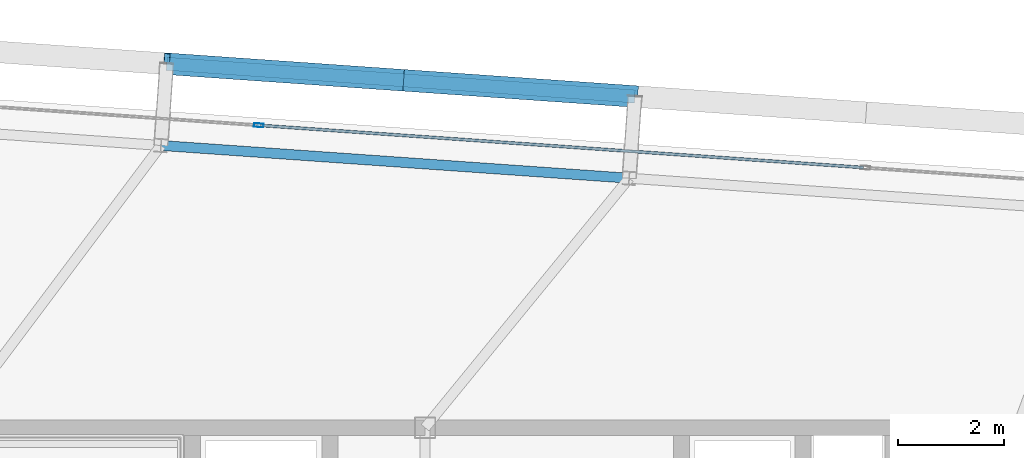
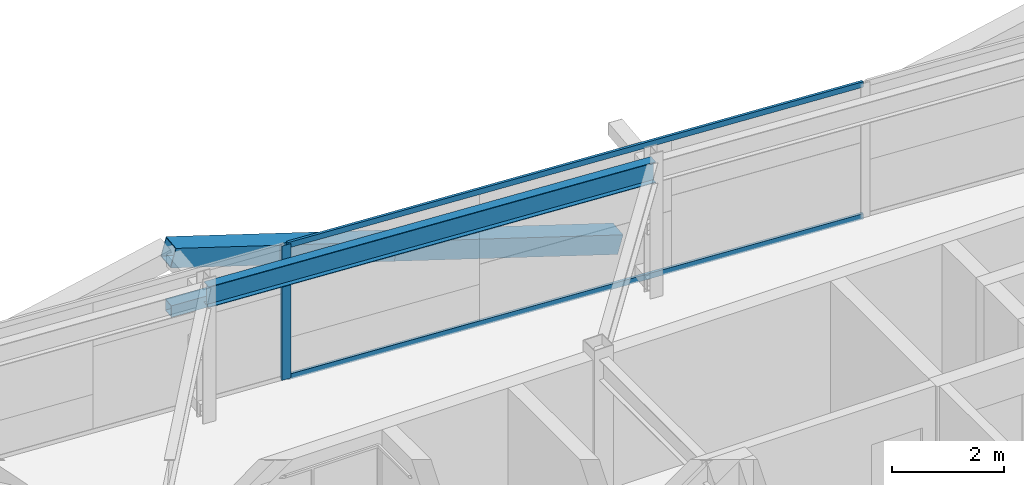
# One storey, part 21 of 39: 6 members, 1 beam, 1 element without a shape of its own.
"""IFC4 building model written with IfcOpenShell, lengths in metres."""

import ifcopenshell
import ifcopenshell.guid

model = None  # the IFC model being written
_history = None  # IfcOwnerHistory: only IFC2X3 demands one
_inside = {}  # id of a spatial element -> (the spatial element, [elements in it])
_under = {}  # id of a project, library or spatial element -> (it, [spatial elements below it])
_declared = {}  # id of a project -> (the project, [libraries it declares])
_typed = {}  # id of a type object -> (the type object, [elements of that type])
_made_of = {}  # id of a material, layer set ... -> (it, [elements and type objects made of it])


def new_model(schema):
    """Start an empty IFC model of exactly this schema.

    Asked for "IFC4X3", IfcOpenShell would pick the latest addendum, in which some entities
    have other attributes; the version numbers below select the first issue.
    IFC2X3 requires an IfcOwnerHistory on every rooted entity: one is made here for all.
    """
    global model, _history
    if schema == "IFC4X3":
        model = ifcopenshell.file(schema_version=(4, 3, 0, 0))
    else:
        model = ifcopenshell.file(schema=schema)
    _inside.clear()
    _under.clear()
    _declared.clear()
    _typed.clear()
    _made_of.clear()
    _history = None
    if model.schema == "IFC2X3":
        org = make("IfcOrganization", Name="unknown")
        user = make(
            "IfcPersonAndOrganization",
            ThePerson=make("IfcPerson", FamilyName="unknown"),
            TheOrganization=org,
        )
        app = make(
            "IfcApplication",
            ApplicationDeveloper=org,
            Version="unknown",
            ApplicationFullName="unknown",
            ApplicationIdentifier="unknown",
        )
        _history = make(
            "IfcOwnerHistory",
            OwningUser=user,
            OwningApplication=app,
            ChangeAction="ADDED",
            CreationDate=0,
        )
    return model


def make(cls, **values):
    """One entity of the class cls with the attributes given. An attribute that is None is left unset."""
    return model.create_entity(
        cls, **{name: value for name, value in values.items() if value is not None}
    )


def rooted(cls, **values):
    """An entity with a GlobalId (a new one), such as an element, a storey or a relation."""
    return make(cls, GlobalId=ifcopenshell.guid.new(), OwnerHistory=_history, **values)


def si_unit(unit_type, name, prefix=None):
    """IfcSIUnit, for example si_unit("LENGTHUNIT", "METRE", prefix="MILLI")."""
    return make("IfcSIUnit", UnitType=unit_type, Prefix=prefix, Name=name)


def assignment(units):
    """IfcUnitAssignment: the units of a project."""
    return None if units is None else make("IfcUnitAssignment", Units=units)


def point(xyz):
    """IfcCartesianPoint."""
    return None if xyz is None else make("IfcCartesianPoint", Coordinates=xyz)


def direction(xyz):
    """IfcDirection."""
    return None if xyz is None else make("IfcDirection", DirectionRatios=xyz)


def frame(location, z_axis=None, x_axis=None):
    """IfcAxis2Placement3D, a coordinate frame: its origin and axes. An axis left out is left unset."""
    return make(
        "IfcAxis2Placement3D",
        Location=point(location),
        Axis=direction(z_axis),
        RefDirection=direction(x_axis),
    )


def frame_2d(location, x_axis=None):
    """IfcAxis2Placement2D, a coordinate frame in the plane: its origin and x axis."""
    return make(
        "IfcAxis2Placement2D", Location=point(location), RefDirection=direction(x_axis)
    )


def origin():
    """The frame at (0, 0, 0) with its axes left unset."""
    return frame((0.0, 0.0, 0.0))


def origin_2d():
    """The frame at (0, 0) in the plane with its x axis left unset."""
    return frame_2d((0.0, 0.0))


def place(relative_to, where):
    """IfcLocalPlacement: puts the frame where relative to a parent placement (None: the world)."""
    return make(
        "IfcLocalPlacement", PlacementRelTo=relative_to, RelativePlacement=where
    )


def context(
    kind, dimensions, precision=None, world=None, true_north=None, identifier=None
):
    """IfcGeometricRepresentationContext, for example the 3D "Model" context."""
    return make(
        "IfcGeometricRepresentationContext",
        ContextIdentifier=identifier,
        ContextType=kind,
        CoordinateSpaceDimension=dimensions,
        Precision=precision,
        WorldCoordinateSystem=world,
        TrueNorth=true_north,
    )


def subcontext(parent, identifier, kind, view, scale=None):
    """IfcGeometricRepresentationSubContext, for example "Body" below "Model"."""
    return make(
        "IfcGeometricRepresentationSubContext",
        ContextIdentifier=identifier,
        ContextType=kind,
        ParentContext=parent,
        TargetScale=scale,
        TargetView=view,
    )


def project(units=None, contexts=None):
    """IfcProject with its units and contexts."""
    return rooted(
        "IfcProject",
        Name="project",
        RepresentationContexts=contexts,
        UnitsInContext=assignment(units),
    )


def spatial(cls, under=None, at=None, **own):
    """A site, building, storey or space (cls), placed at a placement, below another one or the project."""
    s = rooted(cls, ObjectPlacement=at, **own)
    if under is not None:
        _under.setdefault(under.id(), (under, []))[1].append(s)
    return s


def profile(cls, at=None, kind="AREA", **sizes):
    """A parametric profile (cls). Its sizes go by their IFC names, for example OverallWidth=200.0."""
    return make(cls, ProfileType=kind, Position=at, **sizes)


def hollow_rectangle(**sizes):
    """IfcRectangleHollowProfileDef."""
    return profile("IfcRectangleHollowProfileDef", **sizes)


def i_section(**sizes):
    """IfcIShapeProfileDef."""
    return profile("IfcIShapeProfileDef", **sizes)


def extrude(swept, where, along, depth):
    """IfcExtrudedAreaSolid: the profile swept, set in the frame where, extruded along a direction by depth."""
    return make(
        "IfcExtrudedAreaSolid",
        SweptArea=swept,
        Position=where,
        ExtrudedDirection=direction(along),
        Depth=depth,
    )


def shape(context_of_items, identifier, shape_type, items):
    """IfcShapeRepresentation: the items that make up one representation, for example the "Body"."""
    return make(
        "IfcShapeRepresentation",
        ContextOfItems=context_of_items,
        RepresentationIdentifier=identifier,
        RepresentationType=shape_type,
        Items=items,
    )


def source(mapping_origin, context_of_items, identifier, shape_type, items):
    """IfcRepresentationMap: a shape defined once, which mapped items show again and again."""
    return make(
        "IfcRepresentationMap",
        MappingOrigin=mapping_origin,
        MappedRepresentation=shape(context_of_items, identifier, shape_type, items),
    )


def transform(
    local_origin,
    x_axis=None,
    y_axis=None,
    z_axis=None,
    scale=None,
    scale2=None,
    scale3=None,
    uniform=True,
):
    """IfcCartesianTransformationOperator3D, or its non-uniform kind. x_axis, y_axis, z_axis: its Axis1, 2, 3."""
    if uniform:
        return make(
            "IfcCartesianTransformationOperator3D",
            Axis1=direction(x_axis),
            Axis2=direction(y_axis),
            LocalOrigin=point(local_origin),
            Scale=scale,
            Axis3=direction(z_axis),
        )
    return make(
        "IfcCartesianTransformationOperator3DnonUniform",
        Axis1=direction(x_axis),
        Axis2=direction(y_axis),
        LocalOrigin=point(local_origin),
        Scale=scale,
        Axis3=direction(z_axis),
        Scale2=scale2,
        Scale3=scale3,
    )


def mapped(mapping_source, mapping_target):
    """IfcMappedItem: shows the shape of a source again, moved by a transform."""
    return make(
        "IfcMappedItem", MappingSource=mapping_source, MappingTarget=mapping_target
    )


def material(Name=None, Category=None):
    """IfcMaterial."""
    return make("IfcMaterial", Name=Name, Category=Category)


def layer(
    of_material, thickness, ventilated=None, Name=None, Category=None, Priority=None
):
    """IfcMaterialLayer: one layer of a wall or slab, of a material (None: an air gap)."""
    return make(
        "IfcMaterialLayer",
        Material=of_material,
        LayerThickness=thickness,
        IsVentilated=ventilated,
        Name=Name,
        Category=Category,
        Priority=Priority,
    )


def layer_set(layers, Name=None):
    """IfcMaterialLayerSet."""
    return make("IfcMaterialLayerSet", MaterialLayers=layers, LayerSetName=Name)


def material_profile(
    of_material, cross_section, Name=None, Category=None, Priority=None
):
    """IfcMaterialProfile: a cross section and its material."""
    return make(
        "IfcMaterialProfile",
        Name=Name,
        Material=of_material,
        Profile=cross_section,
        Priority=Priority,
        Category=Category,
    )


def profile_set(profiles, Name=None, composite=None):
    """IfcMaterialProfileSet."""
    return make(
        "IfcMaterialProfileSet",
        Name=Name,
        MaterialProfiles=profiles,
        CompositeProfile=composite,
    )


def made_of(thing, what):
    """Note that an element or type object is made of a material, layer set ...; save() writes the relation."""
    if what is not None:
        _made_of.setdefault(what.id(), (what, []))[1].append(thing)
    return thing


def type_object(cls, material=None, **own):
    """A type object (cls), such as IfcWallType, which elements share."""
    return made_of(rooted(cls, **own), material)


def element(
    cls,
    number,
    at=None,
    inside=None,
    cuts=None,
    type_object=None,
    material=None,
    context=None,
    identifier="Body",
    shape_type=None,
    held_by="IfcProductDefinitionShape",
    body=None,
    shapes=None,
    **own,
):
    """One element of the class cls, such as IfcWall. Its Tag is "e" and its number.

    at: its placement. inside: the storey or other place that contains it. cuts: it is an
    opening in that element (IfcRelVoidsElement). A single representation is given by context,
    identifier, shape_type and body (its items); several are given by shapes. held_by: the class
    of the entity that holds the representations. save() writes the other relations.
    """
    e = rooted(cls, Tag="e%d" % number, ObjectPlacement=at, **own)
    if body is not None:
        shapes = [shape(context, identifier, shape_type, body)]
    if shapes is not None:
        e.Representation = make(held_by, Representations=shapes)
    if inside is not None:
        _inside.setdefault(inside.id(), (inside, []))[1].append(e)
    if cuts is not None:
        rooted(
            "IfcRelVoidsElement", RelatingBuildingElement=cuts, RelatedOpeningElement=e
        )
    if type_object is not None:
        _typed.setdefault(type_object.id(), (type_object, []))[1].append(e)
    return made_of(e, material)


def aggregate(whole, parts):
    """IfcRelAggregates: a whole, such as a stair, and the parts it consists of."""
    return rooted("IfcRelAggregates", RelatingObject=whole, RelatedObjects=parts)


def save(model, path):
    """Write the relations noted so far, then the file.

    IfcRelAggregates (storeys below a building ...), IfcRelContainedInSpatialStructure (elements
    in a storey), IfcRelDefinesByType, IfcRelAssociatesMaterial and IfcRelDeclares: one each for
    every whole, place, type object, material and project.
    """
    for whole, parts in _under.values():
        aggregate(whole, parts)
    for where, things in _inside.values():
        rooted(
            "IfcRelContainedInSpatialStructure",
            RelatedElements=things,
            RelatingStructure=where,
        )
    for kind, things in _typed.values():
        rooted("IfcRelDefinesByType", RelatedObjects=things, RelatingType=kind)
    for what, things in _made_of.values():
        rooted("IfcRelAssociatesMaterial", RelatedObjects=things, RelatingMaterial=what)
    for by, libraries in _declared.values():
        rooted("IfcRelDeclares", RelatingContext=by, RelatedDefinitions=libraries)
    model.write(path)


model = new_model("IFC4")

# Units and contexts
model_context = context("Model", 3, precision=1e-05, world=origin(), true_north=direction((0.0, 1.0)))
body_context = subcontext(model_context, "Body", "Model", "MODEL_VIEW")
ifc_project = project(units=[si_unit("LENGTHUNIT", "METRE"), si_unit("AREAUNIT", "SQUARE_METRE"), si_unit("VOLUMEUNIT", "CUBIC_METRE"), si_unit("PLANEANGLEUNIT", "RADIAN"), si_unit("MASSUNIT", "GRAM", prefix="KILO")], contexts=[model_context])

# Site, building, storey
site_placement = place(None, origin())
site = spatial("IfcSite", under=ifc_project, at=site_placement, CompositionType="ELEMENT")
building_placement = place(site_placement, origin())
building = spatial("IfcBuilding", under=site, at=building_placement, Name="Taldren Reach Tower", CompositionType="ELEMENT")
storey_placement = place(building_placement, frame((0.0, 0.0, 145.60009765625)))
storey = spatial("IfcBuildingStorey", under=building, at=storey_placement, Name="L44", CompositionType="ELEMENT", Elevation=145.60009765625)

# Beam
ifc_material_1 = material(Name="Steel Gr 350 (350PLUS)", Category="steel")
ifc_material_profile_1 = material_profile(ifc_material_1, i_section(OverallWidth=0.18994140625, OverallDepth=0.4541015625, WebThickness=0.008544921875, FlangeThickness=0.0126953125, at=origin_2d()), Name="460UB67.1")
ifc_profile_set_1 = profile_set([ifc_material_profile_1], Name="Steel Gr 350 (350PLUS)")
beam_type = type_object("IfcBeamType", Name="SP-UB460B", PredefinedType="SPANDREL", material=ifc_profile_set_1)
shared_shape_1 = source(origin(), body_context, "Body", "SweptSolid", [
    extrude(i_section(OverallWidth=0.18994140625, OverallDepth=0.4541015625, WebThickness=0.008544921875, FlangeThickness=0.0126953125, at=origin_2d()), origin(), (0.0, 0.0, 1.0), 8.880126953125),
])
beam_placement = place(storey_placement, frame((31.861328125, 36.719970703125, 2.702880859375), z_axis=(-0.997564479639, 0.069750333063, 0.0), x_axis=(-0.069750333063, -0.997564479639, 0.0)))
element("IfcBeam", 1, at=beam_placement, inside=storey, type_object=beam_type, Name="Perimeter spandrel B3 N3-N2 L44", PredefinedType="SPANDREL", context=body_context, shape_type="MappedRepresentation", body=[
    mapped(shared_shape_1, transform((0.0, 0.0, 0.0), scale=1.0)),
])

# Members
ifc_material_2 = material(Name="Steel Gr 350 (C350L0)", Category="steel")
ifc_material_profile_2 = material_profile(ifc_material_2, hollow_rectangle(XDim=0.25, YDim=0.25, WallThickness=0.010009765625, at=origin_2d()), Name="250x250x10.0SHS")
ifc_profile_set_2 = profile_set([ifc_material_profile_2], Name="Steel Gr 350 (C350L0)")
member_type_1 = type_object("IfcMemberType", Name="MB-POST250", PredefinedType="POST", material=ifc_profile_set_2)
shared_shape_2 = source(origin(), body_context, "Body", "SweptSolid", [
    extrude(hollow_rectangle(XDim=0.25, YDim=0.25, WallThickness=0.010009765625, at=origin_2d()), origin(), (0.0, 0.0, 1.0), 8.880126953125),
])
member_1_placement = place(storey_placement, frame((23.111083984375, 38.885498046875, 1.434814453125), z_axis=(0.997564479639, -0.069750333063, 0.0), x_axis=(0.069750333063, 0.997564479639, 0.0)))
element("IfcMember", 2, at=member_1_placement, inside=storey, type_object=member_type_1, Name="Exoskeleton mid-height ring chord B3-N2 L44", PredefinedType="POST", context=body_context, shape_type="MappedRepresentation", body=[
    mapped(shared_shape_2, transform((0.0, 0.0, 0.0), scale=1.0)),
])
ifc_material_3 = material(Name="Steel Gr 450 (C450L0)", Category="steel")
ifc_material_profile_3 = material_profile(ifc_material_3, hollow_rectangle(XDim=0.409912109375, YDim=0.409912109375, WallThickness=0.01611328125, at=origin_2d()), Name="410x410x16.0SHS")
ifc_profile_set_3 = profile_set([ifc_material_profile_3], Name="Steel Gr 450 (C450L0)")
member_type_2 = type_object("IfcMemberType", Name="MB-EXO406", PredefinedType="BRACE", material=ifc_profile_set_3)
shared_shape_3 = source(origin(), body_context, "Body", "SweptSolid", [
    extrude(hollow_rectangle(XDim=0.409912109375, YDim=0.409912109375, WallThickness=0.01611328125, at=origin_2d()), origin(), (0.0, 0.0, 1.0), 4.603271484375),
])
for number, where, z_axis, x_axis, name in (
    (3, (31.969482421875, 38.26611328125, 0.219970703125), (-0.962195820062, 0.067303852699, 0.263911718699), (-0.06977769246, -0.997562566276, 0.0), "Exoskeleton Diagrid Brace B3-N2 L44"),
    (4, (27.540283203125, 38.575927734375, 1.434814453125), (-0.962185784239, 0.067250114343, 0.263962002434), (-0.069722973508, -0.997566392259, 0.0), "Exoskeleton Diagrid Brace B3-N2 L44"),
):
    element("IfcMember", number, at=place(storey_placement, frame(where, z_axis=z_axis, x_axis=x_axis)), inside=storey, type_object=member_type_2, Name=name, PredefinedType="BRACE", context=body_context, shape_type="MappedRepresentation", body=[
        mapped(shared_shape_3, transform((0.0, 0.0, 0.0), scale=1.0)),
    ])

# Curtain wall, members
ifc_material_4 = material(Name="Aluminium and Low-E Glass Unitised System", Category="aluminium")
ifc_layer = layer(ifc_material_4, 0.159912109375)
ifc_layer_set = layer_set([ifc_layer], Name="Aluminium and Low-E Glass Unitised System")
curtain_wall_type = type_object("IfcCurtainWallType", Name="CW-SYS-4", PredefinedType="NOTDEFINED", material=ifc_layer_set)
curtain_wall_placement = place(storey_placement, origin())
curtain_wall = element("IfcCurtainWall", 5, at=curtain_wall_placement, inside=storey, type_object=curtain_wall_type, Name="Unitised curtain wall CW-L44-N", PredefinedType="NOTDEFINED")
ifc_material_5 = material(Name="Anodised Aluminium 6063-T6", Category="aluminium")
ifc_material_profile_4 = material_profile(ifc_material_5, hollow_rectangle(XDim=0.054931640625, YDim=0.1201171875, WallThickness=0.0029296875, at=origin_2d()), Name="ALU-120x55x3RHS")
ifc_profile_set_4 = profile_set([ifc_material_profile_4], Name="Anodised Aluminium 6063-T6")
member_type_3 = type_object("IfcMemberType", Name="CW-TRN-135", PredefinedType="USERDEFINED", material=ifc_profile_set_4)
shared_shape_4 = source(origin(), body_context, "Body", "SweptSolid", [
    extrude(hollow_rectangle(XDim=0.054931640625, YDim=0.1201171875, WallThickness=0.0029296875, at=origin_2d()), origin(), (0.0, 0.0, 1.0), 11.43017578125),
])
member_2_placement = place(storey_placement, frame((36.291259765625, 36.92138671875, 0.02734375), z_axis=(-0.997563844883, 0.069759410701, 0.0), x_axis=(-0.069759410701, -0.997563844883, 0.0)))
member_2 = element("IfcMember", 6, at=member_2_placement, type_object=member_type_3, Name="CW-4 transom 3.1", ObjectType="TRANSOM", PredefinedType="USERDEFINED", context=body_context, shape_type="MappedRepresentation", body=[
    mapped(shared_shape_4, transform((0.0, 0.0, 0.0), scale=1.0)),
])
member_3_placement = place(storey_placement, frame((36.291259765625, 36.92138671875, 2.90234375), z_axis=(-0.997563844883, 0.069759410701, 0.0), x_axis=(-0.069759410701, -0.997563844883, 0.0)))
member_3 = element("IfcMember", 7, at=member_3_placement, type_object=member_type_3, Name="CW-4 transom 3.2", ObjectType="TRANSOM", PredefinedType="USERDEFINED", context=body_context, shape_type="MappedRepresentation", body=[
    mapped(shared_shape_4, transform((0.0, 0.0, 0.0), scale=1.0)),
])
ifc_material_profile_5 = material_profile(ifc_material_5, hollow_rectangle(XDim=0.070068359375, YDim=0.179931640625, WallThickness=0.00390625, at=origin_2d()), Name="ALU-180x70x4RHS")
ifc_profile_set_5 = profile_set([ifc_material_profile_5], Name="Anodised Aluminium 6063-T6")
member_type_4 = type_object("IfcMemberType", Name="CW-MUL-180", PredefinedType="MULLION", material=ifc_profile_set_5)
shared_shape_5 = source(origin(), body_context, "Body", "SweptSolid", [
    extrude(hollow_rectangle(XDim=0.070068359375, YDim=0.179931640625, WallThickness=0.00390625, at=origin_2d()), origin(), (0.0, 0.0, 1.0), 2.929931640625),
])
member_4_placement = place(storey_placement, frame((24.85400390625, 37.72119140625, 0.0), z_axis=(0.0, 0.0, 1.0), x_axis=(-0.06975651593, -0.99756404731, 0.0)))
member_4 = element("IfcMember", 8, at=member_4_placement, type_object=member_type_4, Name="CW-4 mullion 4", PredefinedType="MULLION", context=body_context, shape_type="MappedRepresentation", body=[
    mapped(shared_shape_5, transform((0.0, 0.0, 0.0), scale=1.0)),
])
aggregate(curtain_wall, [member_4, member_2, member_3])

save(model, "model.ifc")
